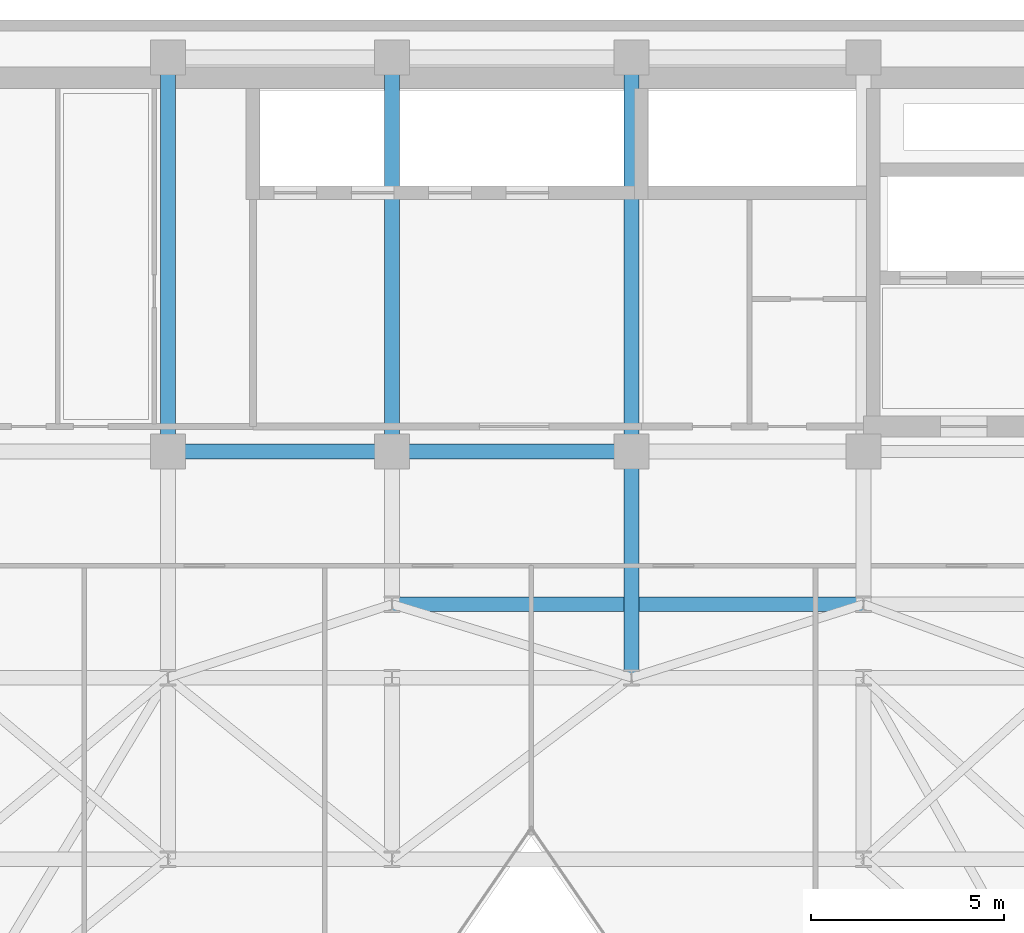
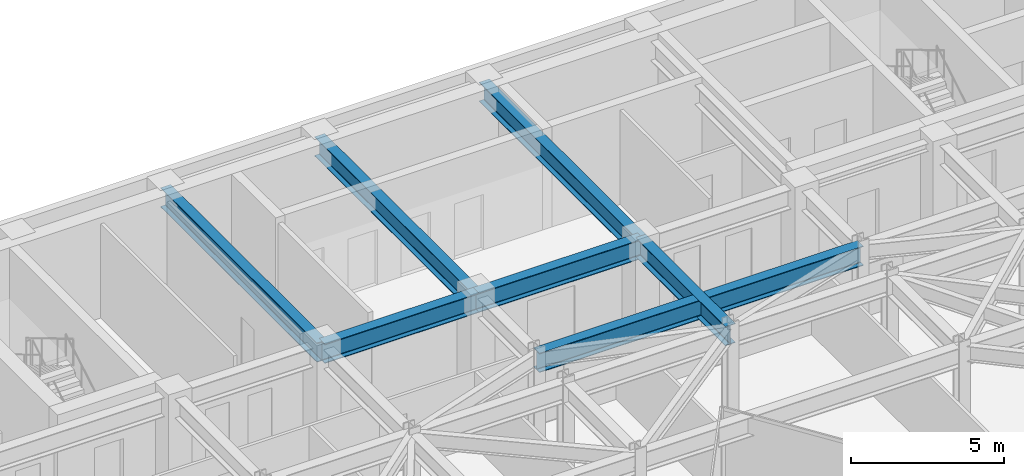
# One storey, part 9 of 21: 7 beams.
"""IFC4 building model written with IfcOpenShell, lengths in metres."""

from ifc_helpers import new_model, si_unit, direction, frame, origin, origin_2d, place, context, subcontext, project, spatial, i_section, extrude, material, material_profile, profile_set, type_object, element, save


model = new_model("IFC4")

# Units and contexts
model_context = context("Model", 3, precision=1e-05, world=origin(), true_north=direction((0.0, 1.0)))
body_context = subcontext(model_context, "Body", "Model", "MODEL_VIEW")
ifc_project = project(units=[si_unit("LENGTHUNIT", "METRE"), si_unit("AREAUNIT", "SQUARE_METRE"), si_unit("VOLUMEUNIT", "CUBIC_METRE"), si_unit("PLANEANGLEUNIT", "RADIAN"), si_unit("MASSUNIT", "GRAM", prefix="KILO")], contexts=[model_context])

# Site, building, storey
site_placement = place(None, origin())
site = spatial("IfcSite", under=ifc_project, at=site_placement, CompositionType="ELEMENT")
building_placement = place(site_placement, origin())
building = spatial("IfcBuilding", under=site, at=building_placement, Name="Kravanh Interchange Tower", CompositionType="ELEMENT")
storey_placement = place(building_placement, frame((0.0, 0.0, 192.5)))
storey = spatial("IfcBuildingStorey", under=building, at=storey_placement, Name="L46", CompositionType="ELEMENT", Elevation=192.5)

# Beams
ifc_material = material(Name="Structural Steel S355", Category="steel")
ifc_material_profile = material_profile(ifc_material, i_section(OverallWidth=0.381103515625, OverallDepth=0.77294921875, WebThickness=0.0166015625, FlangeThickness=0.027099609375, FilletRadius=0.02490234375, at=origin_2d()), Name="W30X173")
ifc_profile_set = profile_set([ifc_material_profile], Name="Structural Steel S355")
beam_type = type_object("IfcBeamType", Name="Floor Beam W30X173 Structural Steel S355", PredefinedType="BEAM", material=ifc_profile_set)
beam_1_placement = place(storey_placement, frame((44.800048828125, 37.35009765625, 3.368408203125), z_axis=(0.0, -1.0, 0.0), x_axis=(1.0, 0.0, 0.0)))
element("IfcBeam", 1, at=beam_1_placement, inside=storey, type_object=beam_type, Name="L46 Primary Floor Girder 12", PredefinedType="BEAM", context=body_context, shape_type="SweptSolid", body=[
    extrude(i_section(OverallWidth=0.381103515625, OverallDepth=0.77294921875, WebThickness=0.0166015625, FlangeThickness=0.027099609375, FilletRadius=0.02490234375, at=origin_2d()), origin(), (0.0, 0.0, 1.0), 5.85009765625),
])
beam_2_placement = place(storey_placement, frame((44.800048828125, 37.35009765625, 3.368408203125), z_axis=(-1.0, 0.0, 0.0), x_axis=(0.0, -1.0, 0.0)))
element("IfcBeam", 2, at=beam_2_placement, inside=storey, type_object=beam_type, Name="L46 Primary Floor Girder 13", PredefinedType="BEAM", context=body_context, shape_type="SweptSolid", body=[
    extrude(i_section(OverallWidth=0.381103515625, OverallDepth=0.77294921875, WebThickness=0.0166015625, FlangeThickness=0.027099609375, FilletRadius=0.02490234375, at=origin_2d()), origin(), (0.0, 0.0, 1.0), 6.199951171875),
])
beam_3_placement = place(storey_placement, frame((44.800048828125, 37.35009765625, 3.368408203125), z_axis=(0.0, 1.0, 0.0), x_axis=(-1.0, 0.0, 0.0)))
element("IfcBeam", 3, at=beam_3_placement, inside=storey, type_object=beam_type, Name="L46 Primary Floor Girder 14", PredefinedType="BEAM", context=body_context, shape_type="SweptSolid", body=[
    extrude(i_section(OverallWidth=0.381103515625, OverallDepth=0.77294921875, WebThickness=0.0166015625, FlangeThickness=0.027099609375, FilletRadius=0.02490234375, at=origin_2d()), origin(), (0.0, 0.0, 1.0), 10.199951171875),
])
beam_4_placement = place(storey_placement, frame((38.60009765625, 37.35009765625, 3.368408203125), z_axis=(-1.0, 0.0, 0.0), x_axis=(0.0, -1.0, 0.0)))
element("IfcBeam", 4, at=beam_4_placement, inside=storey, type_object=beam_type, Name="L46 Primary Floor Girder 17", PredefinedType="BEAM", context=body_context, shape_type="SweptSolid", body=[
    extrude(i_section(OverallWidth=0.381103515625, OverallDepth=0.77294921875, WebThickness=0.0166015625, FlangeThickness=0.027099609375, FilletRadius=0.02490234375, at=origin_2d()), origin(), (0.0, 0.0, 1.0), 5.800048828125),
])
for number, where, z_axis, x_axis, name in (
    (5, (38.60009765625, 37.35009765625, 3.368408203125), (0.0, 1.0, 0.0), (-1.0, 0.0, 0.0), "L46 Primary Floor Girder 18"),
    (6, (32.800048828125, 37.35009765625, 3.368408203125), (0.0, 1.0, 0.0), (-1.0, 0.0, 0.0), "L46 Primary Floor Girder 22"),
):
    element("IfcBeam", number, at=place(storey_placement, frame(where, z_axis=z_axis, x_axis=x_axis)), inside=storey, type_object=beam_type, Name=name, PredefinedType="BEAM", context=body_context, shape_type="SweptSolid", body=[
        extrude(i_section(OverallWidth=0.381103515625, OverallDepth=0.77294921875, WebThickness=0.0166015625, FlangeThickness=0.027099609375, FilletRadius=0.02490234375, at=origin_2d()), origin(), (0.0, 0.0, 1.0), 10.199951171875),
    ])
beam_5_placement = place(storey_placement, frame((38.60009765625, 33.39990234375, 3.368408203125), z_axis=(1.0, 0.0, 0.0), x_axis=(0.0, 1.0, 0.0)))
element("IfcBeam", 7, at=beam_5_placement, inside=storey, type_object=beam_type, Name="L46 Primary Floor Girder 94", PredefinedType="BEAM", context=body_context, shape_type="SweptSolid", body=[
    extrude(i_section(OverallWidth=0.381103515625, OverallDepth=0.77294921875, WebThickness=0.0166015625, FlangeThickness=0.027099609375, FilletRadius=0.02490234375, at=origin_2d()), origin(), (0.0, 0.0, 1.0), 12.199951171875),
])

save(model, "model.ifc")
